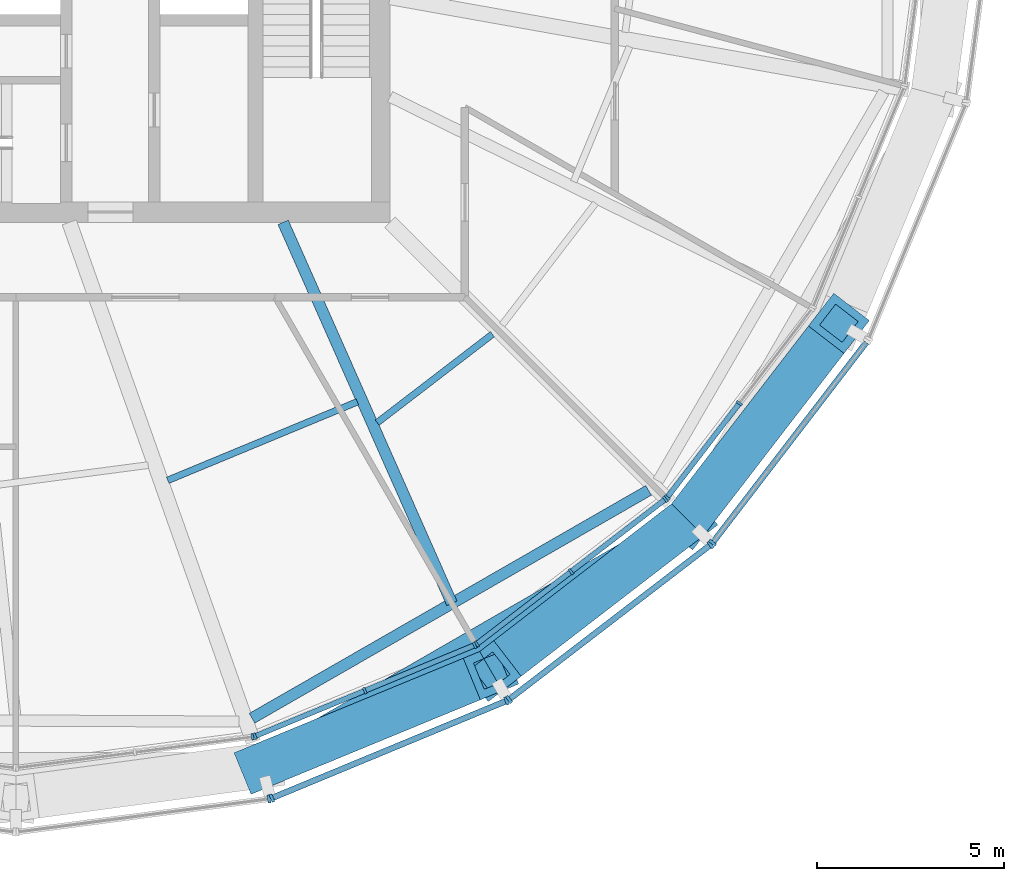
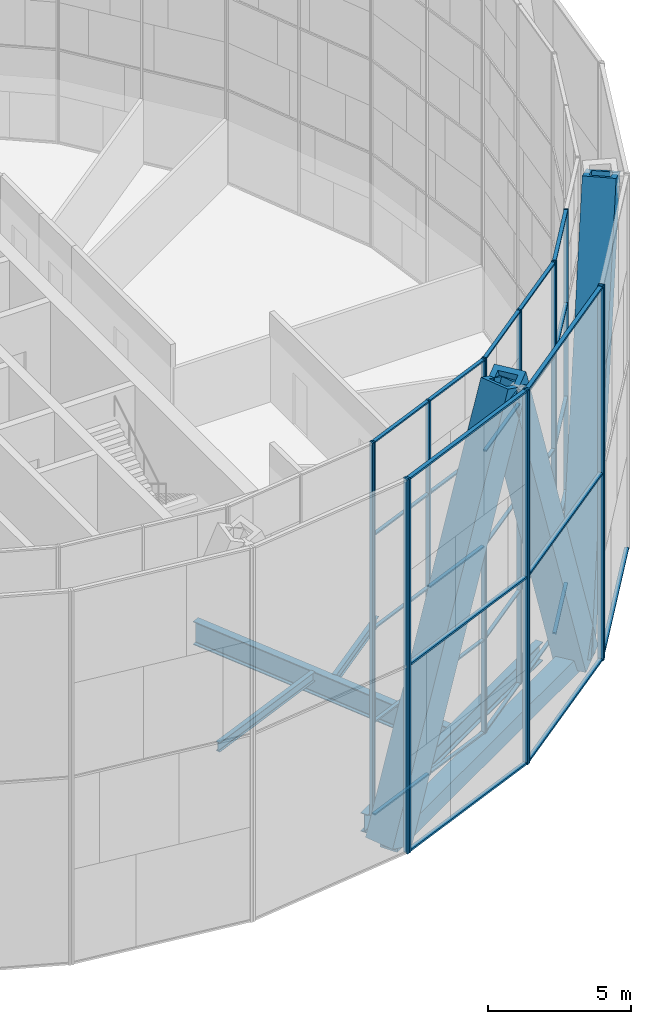
# One storey, part 5 of 30: 50 members, 5 beams, 8 elements without a shape of their own.
"""IFC4 building model written with IfcOpenShell, lengths in metres."""

from ifc_helpers import new_model, si_unit, direction, frame, origin, origin_2d, place, context, subcontext, project, spatial, rectangle, hollow_rectangle, i_section, extrude, material, material_profile, profile_set, type_object, element, aggregate, save


model = new_model("IFC4")

# Units and contexts
model_context = context("Model", 3, precision=1e-05, world=origin(), true_north=direction((0.0, 1.0)))
body_context = subcontext(model_context, "Body", "Model", "MODEL_VIEW")
ifc_project = project(units=[si_unit("LENGTHUNIT", "METRE"), si_unit("AREAUNIT", "SQUARE_METRE"), si_unit("VOLUMEUNIT", "CUBIC_METRE"), si_unit("PLANEANGLEUNIT", "RADIAN"), si_unit("MASSUNIT", "GRAM", prefix="KILO")], contexts=[model_context])

# Site, building, storey
site_placement = place(None, origin())
site = spatial("IfcSite", under=ifc_project, at=site_placement, CompositionType="ELEMENT")
building_placement = place(site_placement, origin())
building = spatial("IfcBuilding", under=site, at=building_placement, Name="Golbaran Civic Tower", CompositionType="ELEMENT")
storey_placement = place(building_placement, frame((0.0, 0.0, 102.0)))
storey = spatial("IfcBuildingStorey", under=building, at=storey_placement, Name="L24", CompositionType="ELEMENT", Elevation=102.0)

# Members
ifc_material_1 = material(Name="Steel S355", Category="steel")
ifc_material_profile_1 = material_profile(ifc_material_1, hollow_rectangle(XDim=1.199951171875, YDim=1.199951171875, WallThickness=0.219970703125, at=origin_2d()), Name="BOX 1200x1200x220")
ifc_profile_set_1 = profile_set([ifc_material_profile_1], Name="Steel S355")
member_type_1 = type_object("IfcMemberType", Name="DIAGRID DIAGONAL BOX 1200x1200x220", PredefinedType="BRACE", material=ifc_profile_set_1)
member_1_placement = place(storey_placement, frame((6.569091796875, -24.51611328125, -0.7099609375), z_axis=(0.353814050585, 0.145808380158, 0.923880692451), x_axis=(-0.381018447137, 0.924567435583, 0.0)))
element("IfcMember", 1, at=member_1_placement, inside=storey, type_object=member_type_1, Name="Diagonal D05-09R L24-L28", PredefinedType="BRACE", context=body_context, shape_type="SweptSolid", body=[
    extrude(hollow_rectangle(XDim=1.199951171875, YDim=1.199951171875, WallThickness=0.219970703125, at=origin_2d()), origin(), (0.0, 0.0, 1.0), 17.318359375),
])
for number, where, z_axis, x_axis, name in (
    (2, (17.947021484375, -17.947021484375, -0.7099609375), (0.233507991668, 0.303176942092, 0.923881897003), (-0.792251346595, 0.61019489003, 0.0), "Diagonal D05-10R L24-L28"),
    (3, (17.947021484375, -17.947021484375, -0.7099609375), (-0.303176942092, -0.233507991668, 0.923881897003), (0.61019489003, -0.792251346595, 0.0), "Diagonal D05-10L L24-L28"),
):
    element("IfcMember", number, at=place(storey_placement, frame(where, z_axis=z_axis, x_axis=x_axis)), inside=storey, type_object=member_type_1, Name=name, PredefinedType="BRACE", context=body_context, shape_type="SweptSolid", body=[
        extrude(hollow_rectangle(XDim=1.199951171875, YDim=1.199951171875, WallThickness=0.219970703125, at=origin_2d()), origin(), (0.0, 0.0, 1.0), 17.318115234375),
    ])

# Beams
ifc_material_profile_2 = material_profile(ifc_material_1, hollow_rectangle(XDim=0.699951171875, YDim=0.699951171875, WallThickness=0.080078125, at=origin_2d()), Name="BOX 700x700x80")
ifc_profile_set_2 = profile_set([ifc_material_profile_2], Name="Steel S355")
beam_type_1 = type_object("IfcBeamType", Name="DIAGRID RING TIE BOX 700x700x80", PredefinedType="BEAM", material=ifc_profile_set_2)
beam_1_placement = place(storey_placement, frame((6.569091796875, -24.51611328125, -0.7099609375), z_axis=(0.866024051528, 0.500002342169, 0.0), x_axis=(-0.500002342169, 0.866024051528, 0.0)))
element("IfcBeam", 4, at=beam_1_placement, inside=storey, type_object=beam_type_1, Name="Ring tie 285.00 L24", PredefinedType="BEAM", context=body_context, shape_type="SweptSolid", body=[
    extrude(hollow_rectangle(XDim=0.699951171875, YDim=0.699951171875, WallThickness=0.080078125, at=origin_2d()), origin(), (0.0, 0.0, 1.0), 13.13818359375),
])
ifc_material_profile_3 = material_profile(ifc_material_1, i_section(OverallWidth=0.300048828125, OverallDepth=0.800048828125, WebThickness=0.017578125, FlangeThickness=0.032958984375, FilletRadius=0.030029296875, at=origin_2d()), Name="HEB 800")
ifc_profile_set_3 = profile_set([ifc_material_profile_3], Name="Steel S355")
beam_type_2 = type_object("IfcBeamType", Name="EDGE BEAM HEB 800", PredefinedType="BEAM", material=ifc_profile_set_3)
beam_2_placement = place(storey_placement, frame((6.311279296875, -23.249267578125, -0.60009765625), z_axis=(0.867038150576, 0.498241754017, 0.0), x_axis=(-0.498241754017, 0.867038150576, 0.0)))
element("IfcBeam", 5, at=beam_2_placement, inside=storey, type_object=beam_type_2, Name="Edge beam 285.00 L24", PredefinedType="BEAM", context=body_context, shape_type="SweptSolid", body=[
    extrude(i_section(OverallWidth=0.300048828125, OverallDepth=0.800048828125, WebThickness=0.017578125, FlangeThickness=0.032958984375, FilletRadius=0.030029296875, at=origin_2d()), origin(), (0.0, 0.0, 1.0), 12.2197265625),
])
ifc_material_profile_4 = material_profile(ifc_material_1, i_section(OverallWidth=0.179931640625, OverallDepth=0.39990234375, WebThickness=0.008544921875, FlangeThickness=0.013427734375, FilletRadius=0.02099609375, at=origin_2d()), Name="IPE 400")
ifc_profile_set_4 = profile_set([ifc_material_profile_4], Name="Steel S355")
beam_type_3 = type_object("IfcBeamType", Name="FLOOR INFILL BEAM IPE 400", PredefinedType="BEAM", material=ifc_profile_set_4)
beam_3_placement = place(storey_placement, frame((4.060302734375, -16.892578125, -0.39990234375), z_axis=(0.923889259897, 0.382659947535, 0.0), x_axis=(-0.382659947535, 0.923889259897, 0.0)))
element("IfcBeam", 6, at=beam_3_placement, inside=storey, type_object=beam_type_3, Name="Infill beam 292.50 L24", PredefinedType="BEAM", context=body_context, shape_type="SweptSolid", body=[
    extrude(i_section(OverallWidth=0.179931640625, OverallDepth=0.39990234375, WebThickness=0.008544921875, FlangeThickness=0.013427734375, FilletRadius=0.02099609375, at=origin_2d()), origin(), (0.0, 0.0, 1.0), 5.481201171875),
])
beam_4_placement = place(storey_placement, frame((9.6552734375, -15.35205078125, -0.39990234375), z_axis=(0.79336231097, 0.608749738014, 0.0), x_axis=(-0.608749738014, 0.79336231097, 0.0)))
element("IfcBeam", 7, at=beam_4_placement, inside=storey, type_object=beam_type_3, Name="Infill beam 307.50 L24", PredefinedType="BEAM", context=body_context, shape_type="SweptSolid", body=[
    extrude(i_section(OverallWidth=0.179931640625, OverallDepth=0.39990234375, WebThickness=0.008544921875, FlangeThickness=0.013427734375, FilletRadius=0.02099609375, at=origin_2d()), origin(), (0.0, 0.0, 1.0), 3.88134765625),
])

# Curtain wall, member
ifc_material_2 = material(Name="Aluminium and glass", Category="aluminium")
curtain_wall_type_1 = type_object("IfcCurtainWallType", Name="INNER SKIN CURTAIN WALL", PredefinedType="NOTDEFINED", material=ifc_material_2)
curtain_wall_1_placement = place(storey_placement, origin())
curtain_wall_1 = element("IfcCurtainWall", 8, at=curtain_wall_1_placement, inside=storey, type_object=curtain_wall_type_1, Name="Inner skin L24 facet 19 CW1", ObjectType="INNER SKIN", PredefinedType="USERDEFINED")
ifc_material_3 = material(Name="Aluminium", Category="aluminium")
ifc_material_profile_5 = material_profile(ifc_material_3, rectangle(XDim=0.179931640625, YDim=0.06494140625, at=origin_2d()), Name="INNER SKIN CURTAIN WALL MULLION")
ifc_profile_set_5 = profile_set([ifc_material_profile_5], Name="Aluminium")
member_type_2 = type_object("IfcMemberType", Name="INNER SKIN CURTAIN WALL MULLION", PredefinedType="MULLION", material=ifc_profile_set_5)
member_2_placement = place(storey_placement, frame((6.3291015625, -23.744873046875, 0.0), z_axis=(0.0, 0.0, 1.0), x_axis=(-0.130526192134, 0.991444861385, 0.0)))
member_2 = element("IfcMember", 9, at=member_2_placement, type_object=member_type_2, Name="CW1 mullion 3", PredefinedType="MULLION", context=body_context, shape_type="SweptSolid", body=[
    extrude(rectangle(XDim=0.179931640625, YDim=0.06494140625, at=origin_2d()), origin(), (0.0, 0.0, 1.0), 16.0),
])
aggregate(curtain_wall_1, [member_2])

# Curtain wall, members
curtain_wall_2_placement = place(storey_placement, origin())
curtain_wall_2 = element("IfcCurtainWall", 10, at=curtain_wall_2_placement, inside=storey, type_object=curtain_wall_type_1, Name="Inner skin L24 facet 20 CW1", ObjectType="INNER SKIN", PredefinedType="USERDEFINED")
member_3_placement = place(storey_placement, frame((6.391357421875, -23.72802734375, 0.0), z_axis=(0.0, 0.0, 1.0), x_axis=(-0.382683432478, 0.923879532465, 0.0)))
member_3 = element("IfcMember", 11, at=member_3_placement, type_object=member_type_2, Name="CW1 mullion 1", PredefinedType="MULLION", context=body_context, shape_type="SweptSolid", body=[
    extrude(rectangle(XDim=0.179931640625, YDim=0.06494140625, at=origin_2d()), origin(), (0.0, 0.0, 1.0), 16.0),
])
member_4_placement = place(storey_placement, frame((9.3251953125, -22.512939453125, 0.0), z_axis=(0.0, 0.0, 1.0), x_axis=(-0.382683432478, 0.923879532465, 0.0)))
member_4 = element("IfcMember", 12, at=member_4_placement, type_object=member_type_2, Name="CW1 mullion 2", PredefinedType="MULLION", context=body_context, shape_type="SweptSolid", body=[
    extrude(rectangle(XDim=0.179931640625, YDim=0.06494140625, at=origin_2d()), origin(), (0.0, 0.0, 1.0), 16.0),
])
member_5_placement = place(storey_placement, frame((12.259033203125, -21.297607421875, 0.0), z_axis=(0.0, 0.0, 1.0), x_axis=(-0.382683432478, 0.923879532465, 0.0)))
member_5 = element("IfcMember", 13, at=member_5_placement, type_object=member_type_2, Name="CW1 mullion 3", PredefinedType="MULLION", context=body_context, shape_type="SweptSolid", body=[
    extrude(rectangle(XDim=0.179931640625, YDim=0.06494140625, at=origin_2d()), origin(), (0.0, 0.0, 1.0), 16.0),
])

curtain_wall_3_placement = place(storey_placement, origin())
curtain_wall_3 = element("IfcCurtainWall", 14, at=curtain_wall_3_placement, inside=storey, type_object=curtain_wall_type_1, Name="Inner skin L24 facet 21 CW1", ObjectType="INNER SKIN", PredefinedType="USERDEFINED")
member_6_placement = place(storey_placement, frame((12.314697265625, -21.265380859375, 0.0), z_axis=(0.0, 0.0, 1.0), x_axis=(-0.608761428995, 0.793353340302, 0.0)))
member_6 = element("IfcMember", 15, at=member_6_placement, type_object=member_type_2, Name="CW1 mullion 1", PredefinedType="MULLION", context=body_context, shape_type="SweptSolid", body=[
    extrude(rectangle(XDim=0.179931640625, YDim=0.06494140625, at=origin_2d()), origin(), (0.0, 0.0, 1.0), 16.0),
])
member_7_placement = place(storey_placement, frame((14.834228515625, -19.332275390625, 0.0), z_axis=(0.0, 0.0, 1.0), x_axis=(-0.608761428995, 0.793353340302, 0.0)))
member_7 = element("IfcMember", 16, at=member_7_placement, type_object=member_type_2, Name="CW1 mullion 2", PredefinedType="MULLION", context=body_context, shape_type="SweptSolid", body=[
    extrude(rectangle(XDim=0.179931640625, YDim=0.06494140625, at=origin_2d()), origin(), (0.0, 0.0, 1.0), 16.0),
])
member_8_placement = place(storey_placement, frame((17.353515625, -17.399169921875, 0.0), z_axis=(0.0, 0.0, 1.0), x_axis=(-0.608761428995, 0.793353340302, 0.0)))
member_8 = element("IfcMember", 17, at=member_8_placement, type_object=member_type_2, Name="CW1 mullion 3", PredefinedType="MULLION", context=body_context, shape_type="SweptSolid", body=[
    extrude(rectangle(XDim=0.179931640625, YDim=0.06494140625, at=origin_2d()), origin(), (0.0, 0.0, 1.0), 16.0),
])

curtain_wall_4_placement = place(storey_placement, origin())
curtain_wall_4 = element("IfcCurtainWall", 18, at=curtain_wall_4_placement, inside=storey, type_object=curtain_wall_type_1, Name="Inner skin L24 facet 22 CW1", ObjectType="INNER SKIN", PredefinedType="USERDEFINED")
member_9_placement = place(storey_placement, frame((17.399169921875, -17.353515625, 0.0), z_axis=(0.0, 0.0, 1.0), x_axis=(-0.793353340302, 0.608761428995, 0.0)))
member_9 = element("IfcMember", 19, at=member_9_placement, type_object=member_type_2, Name="CW1 mullion 1", PredefinedType="MULLION", context=body_context, shape_type="SweptSolid", body=[
    extrude(rectangle(XDim=0.179931640625, YDim=0.06494140625, at=origin_2d()), origin(), (0.0, 0.0, 1.0), 16.0),
])
member_10_placement = place(storey_placement, frame((19.332275390625, -14.834228515625, 0.0), z_axis=(0.0, 0.0, 1.0), x_axis=(-0.793353340302, 0.608761428995, 0.0)))
member_10 = element("IfcMember", 20, at=member_10_placement, type_object=member_type_2, Name="CW1 mullion 2", PredefinedType="MULLION", context=body_context, shape_type="SweptSolid", body=[
    extrude(rectangle(XDim=0.179931640625, YDim=0.06494140625, at=origin_2d()), origin(), (0.0, 0.0, 1.0), 16.0),
])

# Member
ifc_material_profile_6 = material_profile(ifc_material_3, rectangle(XDim=0.139892578125, YDim=0.06494140625, at=origin_2d()), Name="INNER SKIN CURTAIN WALL TRANSOM")
ifc_profile_set_6 = profile_set([ifc_material_profile_6], Name="Aluminium")
member_type_3 = type_object("IfcMemberType", Name="INNER SKIN CURTAIN WALL TRANSOM", PredefinedType="USERDEFINED", material=ifc_profile_set_6)
member_11_placement = place(storey_placement, frame((6.42138671875, -23.715576171875, 0.032470703125), z_axis=(0.923899174075, 0.382636009992, 0.0), x_axis=(-0.382636009992, 0.923899174075, 0.0)))
member_11 = element("IfcMember", 21, at=member_11_placement, type_object=member_type_3, Name="CW1 transom 1.1", ObjectType="TRANSOM", PredefinedType="USERDEFINED", context=body_context, shape_type="SweptSolid", body=[
    extrude(rectangle(XDim=0.139892578125, YDim=0.06494140625, at=origin_2d()), origin(), (0.0, 0.0, 1.0), 3.110595703125),
])

member_12_placement = place(storey_placement, frame((6.42138671875, -23.715576171875, 4.0), z_axis=(0.923899174075, 0.382636009992, 0.0), x_axis=(-0.382636009992, 0.923899174075, 0.0)))
member_12 = element("IfcMember", 22, at=member_12_placement, type_object=member_type_3, Name="CW1 transom 1.2", ObjectType="TRANSOM", PredefinedType="USERDEFINED", context=body_context, shape_type="SweptSolid", body=[
    extrude(rectangle(XDim=0.139892578125, YDim=0.06494140625, at=origin_2d()), origin(), (0.0, 0.0, 1.0), 3.110595703125),
])

member_13_placement = place(storey_placement, frame((6.42138671875, -23.715576171875, 8.0), z_axis=(0.923899174075, 0.382636009992, 0.0), x_axis=(-0.382636009992, 0.923899174075, 0.0)))
member_13 = element("IfcMember", 23, at=member_13_placement, type_object=member_type_3, Name="CW1 transom 1.3", ObjectType="TRANSOM", PredefinedType="USERDEFINED", context=body_context, shape_type="SweptSolid", body=[
    extrude(rectangle(XDim=0.139892578125, YDim=0.06494140625, at=origin_2d()), origin(), (0.0, 0.0, 1.0), 3.110595703125),
])

member_14_placement = place(storey_placement, frame((6.42138671875, -23.715576171875, 12.0), z_axis=(0.923899174075, 0.382636009992, 0.0), x_axis=(-0.382636009992, 0.923899174075, 0.0)))
member_14 = element("IfcMember", 24, at=member_14_placement, type_object=member_type_3, Name="CW1 transom 1.4", ObjectType="TRANSOM", PredefinedType="USERDEFINED", context=body_context, shape_type="SweptSolid", body=[
    extrude(rectangle(XDim=0.139892578125, YDim=0.06494140625, at=origin_2d()), origin(), (0.0, 0.0, 1.0), 3.110595703125),
])

member_15_placement = place(storey_placement, frame((6.42138671875, -23.715576171875, 15.967529296875), z_axis=(0.923899174075, 0.382636009992, 0.0), x_axis=(-0.382636009992, 0.923899174075, 0.0)))
member_15 = element("IfcMember", 25, at=member_15_placement, type_object=member_type_3, Name="CW1 transom 1.5", ObjectType="TRANSOM", PredefinedType="USERDEFINED", context=body_context, shape_type="SweptSolid", body=[
    extrude(rectangle(XDim=0.139892578125, YDim=0.06494140625, at=origin_2d()), origin(), (0.0, 0.0, 1.0), 3.110595703125),
])

member_16_placement = place(storey_placement, frame((9.355224609375, -22.50048828125, 0.032470703125), z_axis=(0.923871425122, 0.382703004748, 0.0), x_axis=(-0.382703004748, 0.923871425122, 0.0)))
member_16 = element("IfcMember", 26, at=member_16_placement, type_object=member_type_3, Name="CW1 transom 2.1", ObjectType="TRANSOM", PredefinedType="USERDEFINED", context=body_context, shape_type="SweptSolid", body=[
    extrude(rectangle(XDim=0.139892578125, YDim=0.06494140625, at=origin_2d()), origin(), (0.0, 0.0, 1.0), 3.110595703125),
])

member_17_placement = place(storey_placement, frame((9.355224609375, -22.50048828125, 4.0), z_axis=(0.923871425122, 0.382703004748, 0.0), x_axis=(-0.382703004748, 0.923871425122, 0.0)))
member_17 = element("IfcMember", 27, at=member_17_placement, type_object=member_type_3, Name="CW1 transom 2.2", ObjectType="TRANSOM", PredefinedType="USERDEFINED", context=body_context, shape_type="SweptSolid", body=[
    extrude(rectangle(XDim=0.139892578125, YDim=0.06494140625, at=origin_2d()), origin(), (0.0, 0.0, 1.0), 3.110595703125),
])

member_18_placement = place(storey_placement, frame((9.355224609375, -22.50048828125, 8.0), z_axis=(0.923871425122, 0.382703004748, 0.0), x_axis=(-0.382703004748, 0.923871425122, 0.0)))
member_18 = element("IfcMember", 28, at=member_18_placement, type_object=member_type_3, Name="CW1 transom 2.3", ObjectType="TRANSOM", PredefinedType="USERDEFINED", context=body_context, shape_type="SweptSolid", body=[
    extrude(rectangle(XDim=0.139892578125, YDim=0.06494140625, at=origin_2d()), origin(), (0.0, 0.0, 1.0), 3.110595703125),
])

member_19_placement = place(storey_placement, frame((9.355224609375, -22.50048828125, 12.0), z_axis=(0.923871425122, 0.382703004748, 0.0), x_axis=(-0.382703004748, 0.923871425122, 0.0)))
member_19 = element("IfcMember", 29, at=member_19_placement, type_object=member_type_3, Name="CW1 transom 2.4", ObjectType="TRANSOM", PredefinedType="USERDEFINED", context=body_context, shape_type="SweptSolid", body=[
    extrude(rectangle(XDim=0.139892578125, YDim=0.06494140625, at=origin_2d()), origin(), (0.0, 0.0, 1.0), 3.110595703125),
])

member_20_placement = place(storey_placement, frame((9.355224609375, -22.50048828125, 15.967529296875), z_axis=(0.923871425122, 0.382703004748, 0.0), x_axis=(-0.382703004748, 0.923871425122, 0.0)))
member_20 = element("IfcMember", 30, at=member_20_placement, type_object=member_type_3, Name="CW1 transom 2.5", ObjectType="TRANSOM", PredefinedType="USERDEFINED", context=body_context, shape_type="SweptSolid", body=[
    extrude(rectangle(XDim=0.139892578125, YDim=0.06494140625, at=origin_2d()), origin(), (0.0, 0.0, 1.0), 3.110595703125),
])

aggregate(curtain_wall_2, [member_3, member_4, member_5, member_11, member_12, member_13, member_14, member_15, member_16, member_17, member_18, member_19, member_20])

member_21_placement = place(storey_placement, frame((12.340576171875, -21.24560546875, 0.032470703125), z_axis=(0.793358692504, 0.608754453805, 0.0), x_axis=(-0.608754453805, 0.793358692504, 0.0)))
member_21 = element("IfcMember", 31, at=member_21_placement, type_object=member_type_3, Name="CW1 transom 1.1", ObjectType="TRANSOM", PredefinedType="USERDEFINED", context=body_context, shape_type="SweptSolid", body=[
    extrude(rectangle(XDim=0.139892578125, YDim=0.06494140625, at=origin_2d()), origin(), (0.0, 0.0, 1.0), 3.110595703125),
])

member_22_placement = place(storey_placement, frame((12.340576171875, -21.24560546875, 4.0), z_axis=(0.793358692504, 0.608754453805, 0.0), x_axis=(-0.608754453805, 0.793358692504, 0.0)))
member_22 = element("IfcMember", 32, at=member_22_placement, type_object=member_type_3, Name="CW1 transom 1.2", ObjectType="TRANSOM", PredefinedType="USERDEFINED", context=body_context, shape_type="SweptSolid", body=[
    extrude(rectangle(XDim=0.139892578125, YDim=0.06494140625, at=origin_2d()), origin(), (0.0, 0.0, 1.0), 3.110595703125),
])

member_23_placement = place(storey_placement, frame((12.340576171875, -21.24560546875, 8.0), z_axis=(0.793358692504, 0.608754453805, 0.0), x_axis=(-0.608754453805, 0.793358692504, 0.0)))
member_23 = element("IfcMember", 33, at=member_23_placement, type_object=member_type_3, Name="CW1 transom 1.3", ObjectType="TRANSOM", PredefinedType="USERDEFINED", context=body_context, shape_type="SweptSolid", body=[
    extrude(rectangle(XDim=0.139892578125, YDim=0.06494140625, at=origin_2d()), origin(), (0.0, 0.0, 1.0), 3.110595703125),
])

member_24_placement = place(storey_placement, frame((12.340576171875, -21.24560546875, 12.0), z_axis=(0.793358692504, 0.608754453805, 0.0), x_axis=(-0.608754453805, 0.793358692504, 0.0)))
member_24 = element("IfcMember", 34, at=member_24_placement, type_object=member_type_3, Name="CW1 transom 1.4", ObjectType="TRANSOM", PredefinedType="USERDEFINED", context=body_context, shape_type="SweptSolid", body=[
    extrude(rectangle(XDim=0.139892578125, YDim=0.06494140625, at=origin_2d()), origin(), (0.0, 0.0, 1.0), 3.110595703125),
])

member_25_placement = place(storey_placement, frame((12.340576171875, -21.24560546875, 15.967529296875), z_axis=(0.793358692504, 0.608754453805, 0.0), x_axis=(-0.608754453805, 0.793358692504, 0.0)))
member_25 = element("IfcMember", 35, at=member_25_placement, type_object=member_type_3, Name="CW1 transom 1.5", ObjectType="TRANSOM", PredefinedType="USERDEFINED", context=body_context, shape_type="SweptSolid", body=[
    extrude(rectangle(XDim=0.139892578125, YDim=0.06494140625, at=origin_2d()), origin(), (0.0, 0.0, 1.0), 3.110595703125),
])

member_26_placement = place(storey_placement, frame((14.85986328125, -19.3125, 0.032470703125), z_axis=(0.793358692504, 0.608754453805, 0.0), x_axis=(-0.608754453805, 0.793358692504, 0.0)))
member_26 = element("IfcMember", 36, at=member_26_placement, type_object=member_type_3, Name="CW1 transom 2.1", ObjectType="TRANSOM", PredefinedType="USERDEFINED", context=body_context, shape_type="SweptSolid", body=[
    extrude(rectangle(XDim=0.139892578125, YDim=0.06494140625, at=origin_2d()), origin(), (0.0, 0.0, 1.0), 3.110595703125),
])

member_27_placement = place(storey_placement, frame((14.85986328125, -19.3125, 4.0), z_axis=(0.793358692504, 0.608754453805, 0.0), x_axis=(-0.608754453805, 0.793358692504, 0.0)))
member_27 = element("IfcMember", 37, at=member_27_placement, type_object=member_type_3, Name="CW1 transom 2.2", ObjectType="TRANSOM", PredefinedType="USERDEFINED", context=body_context, shape_type="SweptSolid", body=[
    extrude(rectangle(XDim=0.139892578125, YDim=0.06494140625, at=origin_2d()), origin(), (0.0, 0.0, 1.0), 3.110595703125),
])

member_28_placement = place(storey_placement, frame((14.85986328125, -19.3125, 8.0), z_axis=(0.793358692504, 0.608754453805, 0.0), x_axis=(-0.608754453805, 0.793358692504, 0.0)))
member_28 = element("IfcMember", 38, at=member_28_placement, type_object=member_type_3, Name="CW1 transom 2.3", ObjectType="TRANSOM", PredefinedType="USERDEFINED", context=body_context, shape_type="SweptSolid", body=[
    extrude(rectangle(XDim=0.139892578125, YDim=0.06494140625, at=origin_2d()), origin(), (0.0, 0.0, 1.0), 3.110595703125),
])

member_29_placement = place(storey_placement, frame((14.85986328125, -19.3125, 12.0), z_axis=(0.793358692504, 0.608754453805, 0.0), x_axis=(-0.608754453805, 0.793358692504, 0.0)))
member_29 = element("IfcMember", 39, at=member_29_placement, type_object=member_type_3, Name="CW1 transom 2.4", ObjectType="TRANSOM", PredefinedType="USERDEFINED", context=body_context, shape_type="SweptSolid", body=[
    extrude(rectangle(XDim=0.139892578125, YDim=0.06494140625, at=origin_2d()), origin(), (0.0, 0.0, 1.0), 3.110595703125),
])

member_30_placement = place(storey_placement, frame((14.85986328125, -19.3125, 15.967529296875), z_axis=(0.793358692504, 0.608754453805, 0.0), x_axis=(-0.608754453805, 0.793358692504, 0.0)))
member_30 = element("IfcMember", 40, at=member_30_placement, type_object=member_type_3, Name="CW1 transom 2.5", ObjectType="TRANSOM", PredefinedType="USERDEFINED", context=body_context, shape_type="SweptSolid", body=[
    extrude(rectangle(XDim=0.139892578125, YDim=0.06494140625, at=origin_2d()), origin(), (0.0, 0.0, 1.0), 3.110595703125),
])

aggregate(curtain_wall_3, [member_6, member_7, member_8, member_21, member_22, member_23, member_24, member_25, member_26, member_27, member_28, member_29, member_30])

member_31_placement = place(storey_placement, frame((17.4189453125, -17.32763671875, 0.032470703125), z_axis=(0.608754453805, 0.793358692504, 0.0), x_axis=(-0.793358692504, 0.608754453805, 0.0)))
member_31 = element("IfcMember", 41, at=member_31_placement, type_object=member_type_3, Name="CW1 transom 1.1", ObjectType="TRANSOM", PredefinedType="USERDEFINED", context=body_context, shape_type="SweptSolid", body=[
    extrude(rectangle(XDim=0.139892578125, YDim=0.06494140625, at=origin_2d()), origin(), (0.0, 0.0, 1.0), 3.110595703125),
])

member_32_placement = place(storey_placement, frame((17.4189453125, -17.32763671875, 4.0), z_axis=(0.608754453805, 0.793358692504, 0.0), x_axis=(-0.793358692504, 0.608754453805, 0.0)))
member_32 = element("IfcMember", 42, at=member_32_placement, type_object=member_type_3, Name="CW1 transom 1.2", ObjectType="TRANSOM", PredefinedType="USERDEFINED", context=body_context, shape_type="SweptSolid", body=[
    extrude(rectangle(XDim=0.139892578125, YDim=0.06494140625, at=origin_2d()), origin(), (0.0, 0.0, 1.0), 3.110595703125),
])

member_33_placement = place(storey_placement, frame((17.4189453125, -17.32763671875, 8.0), z_axis=(0.608754453805, 0.793358692504, 0.0), x_axis=(-0.793358692504, 0.608754453805, 0.0)))
member_33 = element("IfcMember", 43, at=member_33_placement, type_object=member_type_3, Name="CW1 transom 1.3", ObjectType="TRANSOM", PredefinedType="USERDEFINED", context=body_context, shape_type="SweptSolid", body=[
    extrude(rectangle(XDim=0.139892578125, YDim=0.06494140625, at=origin_2d()), origin(), (0.0, 0.0, 1.0), 3.110595703125),
])

member_34_placement = place(storey_placement, frame((17.4189453125, -17.32763671875, 12.0), z_axis=(0.608754453805, 0.793358692504, 0.0), x_axis=(-0.793358692504, 0.608754453805, 0.0)))
member_34 = element("IfcMember", 44, at=member_34_placement, type_object=member_type_3, Name="CW1 transom 1.4", ObjectType="TRANSOM", PredefinedType="USERDEFINED", context=body_context, shape_type="SweptSolid", body=[
    extrude(rectangle(XDim=0.139892578125, YDim=0.06494140625, at=origin_2d()), origin(), (0.0, 0.0, 1.0), 3.110595703125),
])

member_35_placement = place(storey_placement, frame((17.4189453125, -17.32763671875, 15.967529296875), z_axis=(0.608754453805, 0.793358692504, 0.0), x_axis=(-0.793358692504, 0.608754453805, 0.0)))
member_35 = element("IfcMember", 45, at=member_35_placement, type_object=member_type_3, Name="CW1 transom 1.5", ObjectType="TRANSOM", PredefinedType="USERDEFINED", context=body_context, shape_type="SweptSolid", body=[
    extrude(rectangle(XDim=0.139892578125, YDim=0.06494140625, at=origin_2d()), origin(), (0.0, 0.0, 1.0), 3.110595703125),
])

aggregate(curtain_wall_4, [member_9, member_10, member_31, member_32, member_33, member_34, member_35])

# Curtain wall, member
curtain_wall_type_2 = type_object("IfcCurtainWallType", Name="OUTER SKIN TERRACOTTA SCREEN", PredefinedType="NOTDEFINED", material=ifc_material_2)
curtain_wall_5_placement = place(storey_placement, origin())
curtain_wall_5 = element("IfcCurtainWall", 46, at=curtain_wall_5_placement, inside=storey, type_object=curtain_wall_type_2, Name="Outer skin L24 facet 19 CW3", ObjectType="OUTER SKIN", PredefinedType="USERDEFINED")
ifc_material_profile_7 = material_profile(ifc_material_3, rectangle(XDim=0.219970703125, YDim=0.080078125, at=origin_2d()), Name="OUTER SKIN TERRACOTTA SCREEN MULLION")
ifc_profile_set_7 = profile_set([ifc_material_profile_7], Name="Aluminium")
member_type_4 = type_object("IfcMemberType", Name="OUTER SKIN TERRACOTTA SCREEN MULLION", PredefinedType="MULLION", material=ifc_profile_set_7)
member_36_placement = place(storey_placement, frame((6.765380859375, -25.40234375, -0.7099609375), z_axis=(0.0, 0.0, 1.0), x_axis=(-0.130526192168, 0.991444861381, 0.0)))
member_36 = element("IfcMember", 47, at=member_36_placement, type_object=member_type_4, Name="CW3 mullion 2", PredefinedType="MULLION", context=body_context, shape_type="SweptSolid", body=[
    extrude(rectangle(XDim=0.219970703125, YDim=0.080078125, at=origin_2d()), origin(), (0.0, 0.0, 1.0), 16.0),
])
aggregate(curtain_wall_5, [member_36])

# Curtain wall, members
curtain_wall_6_placement = place(storey_placement, origin())
curtain_wall_6 = element("IfcCurtainWall", 48, at=curtain_wall_6_placement, inside=storey, type_object=curtain_wall_type_2, Name="Outer skin L24 facet 20 CW3", ObjectType="OUTER SKIN", PredefinedType="USERDEFINED")
member_37_placement = place(storey_placement, frame((6.842041015625, -25.3818359375, -0.7099609375), z_axis=(0.0, 0.0, 1.0), x_axis=(-0.382683432381, 0.923879532505, 0.0)))
member_37 = element("IfcMember", 49, at=member_37_placement, type_object=member_type_4, Name="CW3 mullion 1", PredefinedType="MULLION", context=body_context, shape_type="SweptSolid", body=[
    extrude(rectangle(XDim=0.219970703125, YDim=0.080078125, at=origin_2d()), origin(), (0.0, 0.0, 1.0), 16.0),
])
member_38_placement = place(storey_placement, frame((13.109619140625, -22.78564453125, -0.7099609375), z_axis=(0.0, 0.0, 1.0), x_axis=(-0.382683432381, 0.923879532505, 0.0)))
member_38 = element("IfcMember", 50, at=member_38_placement, type_object=member_type_4, Name="CW3 mullion 2", PredefinedType="MULLION", context=body_context, shape_type="SweptSolid", body=[
    extrude(rectangle(XDim=0.219970703125, YDim=0.080078125, at=origin_2d()), origin(), (0.0, 0.0, 1.0), 16.0),
])

curtain_wall_7_placement = place(storey_placement, origin())
curtain_wall_7 = element("IfcCurtainWall", 51, at=curtain_wall_7_placement, inside=storey, type_object=curtain_wall_type_2, Name="Outer skin L24 facet 21 CW3", ObjectType="OUTER SKIN", PredefinedType="USERDEFINED")
member_39_placement = place(storey_placement, frame((13.17822265625, -22.74609375, -0.7099609375), z_axis=(0.0, 0.0, 1.0), x_axis=(-0.608761428995, 0.793353340302, 0.0)))
member_39 = element("IfcMember", 52, at=member_39_placement, type_object=member_type_4, Name="CW3 mullion 1", PredefinedType="MULLION", context=body_context, shape_type="SweptSolid", body=[
    extrude(rectangle(XDim=0.219970703125, YDim=0.080078125, at=origin_2d()), origin(), (0.0, 0.0, 1.0), 16.0),
])
member_40_placement = place(storey_placement, frame((18.560302734375, -18.6162109375, -0.7099609375), z_axis=(0.0, 0.0, 1.0), x_axis=(-0.608761428995, 0.793353340302, 0.0)))
member_40 = element("IfcMember", 53, at=member_40_placement, type_object=member_type_4, Name="CW3 mullion 2", PredefinedType="MULLION", context=body_context, shape_type="SweptSolid", body=[
    extrude(rectangle(XDim=0.219970703125, YDim=0.080078125, at=origin_2d()), origin(), (0.0, 0.0, 1.0), 16.0),
])

# Curtain wall, member
curtain_wall_8_placement = place(storey_placement, origin())
curtain_wall_8 = element("IfcCurtainWall", 54, at=curtain_wall_8_placement, inside=storey, type_object=curtain_wall_type_2, Name="Outer skin L24 facet 22 CW3", ObjectType="OUTER SKIN", PredefinedType="USERDEFINED")
member_41_placement = place(storey_placement, frame((18.6162109375, -18.560302734375, -0.7099609375), z_axis=(0.0, 0.0, 1.0), x_axis=(-0.793353340302, 0.608761428995, 0.0)))
member_41 = element("IfcMember", 55, at=member_41_placement, type_object=member_type_4, Name="CW3 mullion 1", PredefinedType="MULLION", context=body_context, shape_type="SweptSolid", body=[
    extrude(rectangle(XDim=0.219970703125, YDim=0.080078125, at=origin_2d()), origin(), (0.0, 0.0, 1.0), 16.0),
])

# Member
ifc_material_profile_8 = material_profile(ifc_material_3, rectangle(XDim=0.159912109375, YDim=0.080078125, at=origin_2d()), Name="OUTER SKIN TERRACOTTA SCREEN TRANSOM")
ifc_profile_set_8 = profile_set([ifc_material_profile_8], Name="Aluminium")
member_type_5 = type_object("IfcMemberType", Name="OUTER SKIN TERRACOTTA SCREEN TRANSOM", PredefinedType="USERDEFINED", material=ifc_profile_set_8)
member_42_placement = place(storey_placement, frame((6.879150390625, -25.366455078125, -0.669921875), z_axis=(0.923876566489, 0.382690592899, 0.0), x_axis=(-0.382690592899, 0.923876566489, 0.0)))
member_42 = element("IfcMember", 56, at=member_42_placement, type_object=member_type_5, Name="CW3 transom 1.1", ObjectType="TRANSOM", PredefinedType="USERDEFINED", context=body_context, shape_type="SweptSolid", body=[
    extrude(rectangle(XDim=0.159912109375, YDim=0.080078125, at=origin_2d()), origin(), (0.0, 0.0, 1.0), 6.70361328125),
])

member_43_placement = place(storey_placement, frame((6.879150390625, -25.366455078125, 7.2900390625), z_axis=(0.923876566489, 0.382690592899, 0.0), x_axis=(-0.382690592899, 0.923876566489, 0.0)))
member_43 = element("IfcMember", 57, at=member_43_placement, type_object=member_type_5, Name="CW3 transom 1.2", ObjectType="TRANSOM", PredefinedType="USERDEFINED", context=body_context, shape_type="SweptSolid", body=[
    extrude(rectangle(XDim=0.159912109375, YDim=0.080078125, at=origin_2d()), origin(), (0.0, 0.0, 1.0), 6.70361328125),
])

member_44_placement = place(storey_placement, frame((6.879150390625, -25.366455078125, 15.25), z_axis=(0.923876566489, 0.382690592899, 0.0), x_axis=(-0.382690592899, 0.923876566489, 0.0)))
member_44 = element("IfcMember", 58, at=member_44_placement, type_object=member_type_5, Name="CW3 transom 1.3", ObjectType="TRANSOM", PredefinedType="USERDEFINED", context=body_context, shape_type="SweptSolid", body=[
    extrude(rectangle(XDim=0.159912109375, YDim=0.080078125, at=origin_2d()), origin(), (0.0, 0.0, 1.0), 6.70361328125),
])

aggregate(curtain_wall_6, [member_37, member_38, member_42, member_43, member_44])

member_45_placement = place(storey_placement, frame((13.2099609375, -22.7216796875, -0.669921875), z_axis=(0.793357182153, 0.608756422165, 0.0), x_axis=(-0.608756422165, 0.793357182153, 0.0)))
member_45 = element("IfcMember", 59, at=member_45_placement, type_object=member_type_5, Name="CW3 transom 1.1", ObjectType="TRANSOM", PredefinedType="USERDEFINED", context=body_context, shape_type="SweptSolid", body=[
    extrude(rectangle(XDim=0.159912109375, YDim=0.080078125, at=origin_2d()), origin(), (0.0, 0.0, 1.0), 6.703857421875),
])

member_46_placement = place(storey_placement, frame((13.2099609375, -22.7216796875, 7.2900390625), z_axis=(0.793357182153, 0.608756422165, 0.0), x_axis=(-0.608756422165, 0.793357182153, 0.0)))
member_46 = element("IfcMember", 60, at=member_46_placement, type_object=member_type_5, Name="CW3 transom 1.2", ObjectType="TRANSOM", PredefinedType="USERDEFINED", context=body_context, shape_type="SweptSolid", body=[
    extrude(rectangle(XDim=0.159912109375, YDim=0.080078125, at=origin_2d()), origin(), (0.0, 0.0, 1.0), 6.703857421875),
])

member_47_placement = place(storey_placement, frame((13.2099609375, -22.7216796875, 15.25), z_axis=(0.793357182153, 0.608756422165, 0.0), x_axis=(-0.608756422165, 0.793357182153, 0.0)))
member_47 = element("IfcMember", 61, at=member_47_placement, type_object=member_type_5, Name="CW3 transom 1.3", ObjectType="TRANSOM", PredefinedType="USERDEFINED", context=body_context, shape_type="SweptSolid", body=[
    extrude(rectangle(XDim=0.159912109375, YDim=0.080078125, at=origin_2d()), origin(), (0.0, 0.0, 1.0), 6.703857421875),
])

aggregate(curtain_wall_7, [member_39, member_40, member_45, member_46, member_47])

member_48_placement = place(storey_placement, frame((18.640625, -18.528564453125, -0.669921875), z_axis=(0.608756422165, 0.793357182153, 0.0), x_axis=(-0.793357182153, 0.608756422165, 0.0)))
member_48 = element("IfcMember", 62, at=member_48_placement, type_object=member_type_5, Name="CW3 transom 1.1", ObjectType="TRANSOM", PredefinedType="USERDEFINED", context=body_context, shape_type="SweptSolid", body=[
    extrude(rectangle(XDim=0.159912109375, YDim=0.080078125, at=origin_2d()), origin(), (0.0, 0.0, 1.0), 6.703857421875),
])

aggregate(curtain_wall_8, [member_41, member_48])

# Beam
ifc_material_profile_9 = material_profile(ifc_material_1, i_section(OverallWidth=0.300048828125, OverallDepth=1.0, WebThickness=0.01904296875, FlangeThickness=0.035888671875, FilletRadius=0.030029296875, at=origin_2d()), Name="HEB 1000")
ifc_profile_set_9 = profile_set([ifc_material_profile_9], Name="Steel S355")
beam_type_4 = type_object("IfcBeamType", Name="SECONDARY FLOOR BEAM HEB 1000", PredefinedType="BEAM", material=ifc_profile_set_9)
beam_5_placement = place(storey_placement, frame((7.142822265625, -10.0, -0.7099609375), z_axis=(0.404923539466, -0.914350549399, 0.0), x_axis=(0.914350549399, 0.404923539466, 0.0)))
element("IfcBeam", 63, at=beam_5_placement, inside=storey, type_object=beam_type_4, Name="Secondary beam 300.00 L24", PredefinedType="BEAM", context=body_context, shape_type="SweptSolid", body=[
    extrude(i_section(OverallWidth=0.300048828125, OverallDepth=1.0, WebThickness=0.01904296875, FlangeThickness=0.035888671875, FilletRadius=0.030029296875, at=origin_2d()), origin(), (0.0, 0.0, 1.0), 11.13427734375),
])

save(model, "model.ifc")
